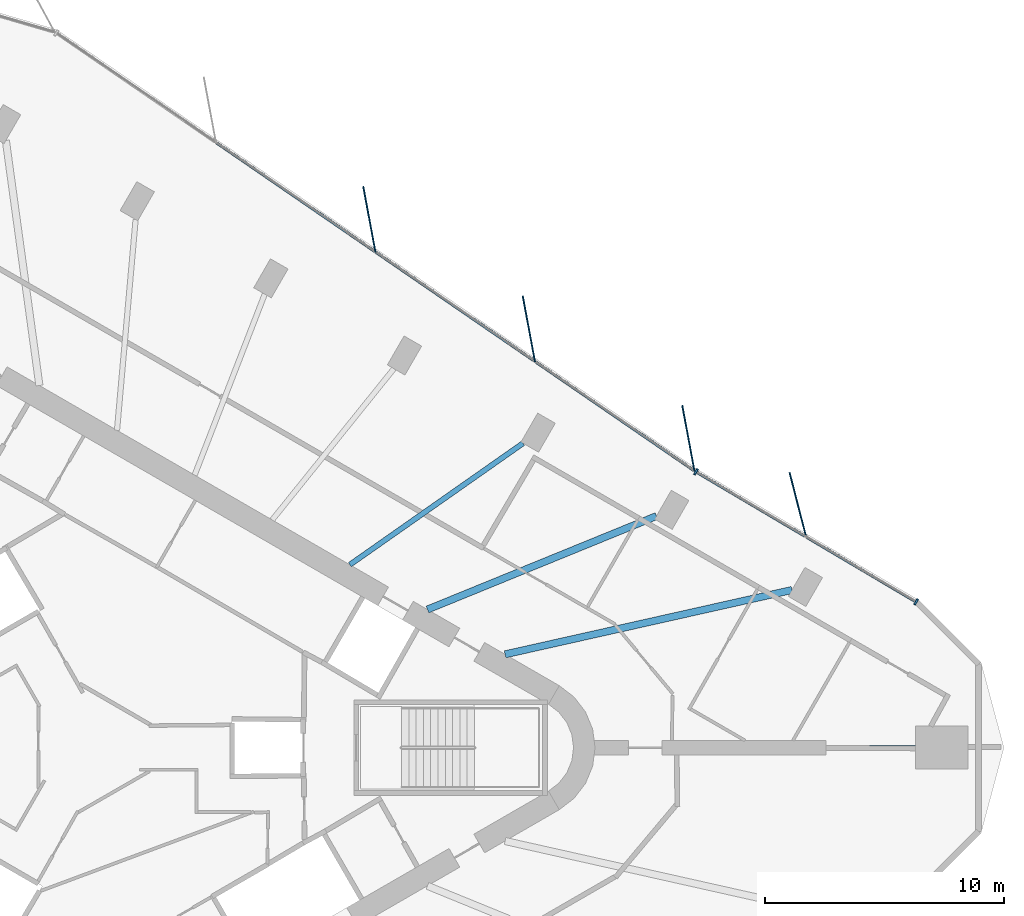
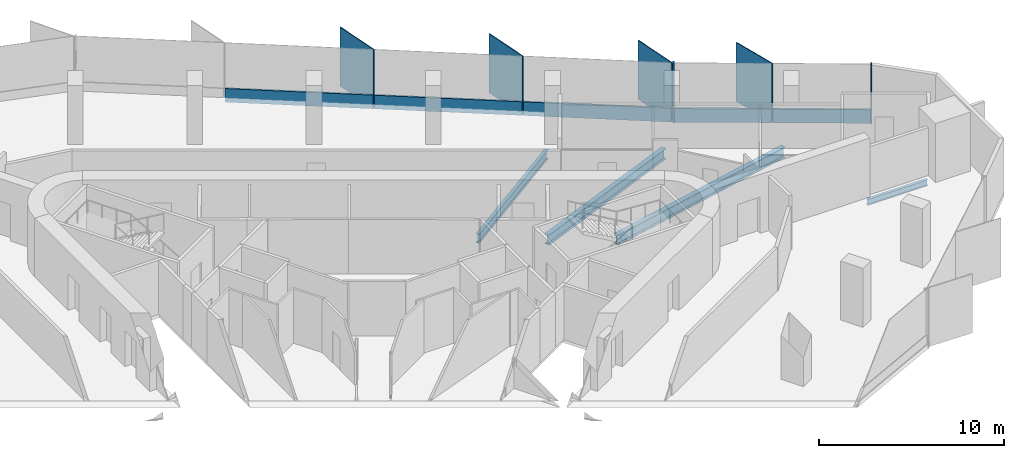
# One storey, part 5 of 14: 11 members, 4 beams, 2 elements without a shape of their own.
"""IFC4 building model written with IfcOpenShell, lengths in metres."""

import ifcopenshell
import ifcopenshell.guid

model = None  # the IFC model being written
_history = None  # IfcOwnerHistory: only IFC2X3 demands one
_inside = {}  # id of a spatial element -> (the spatial element, [elements in it])
_under = {}  # id of a project, library or spatial element -> (it, [spatial elements below it])
_declared = {}  # id of a project -> (the project, [libraries it declares])
_typed = {}  # id of a type object -> (the type object, [elements of that type])
_made_of = {}  # id of a material, layer set ... -> (it, [elements and type objects made of it])


def new_model(schema):
    """Start an empty IFC model of exactly this schema.

    Asked for "IFC4X3", IfcOpenShell would pick the latest addendum, in which some entities
    have other attributes; the version numbers below select the first issue.
    IFC2X3 requires an IfcOwnerHistory on every rooted entity: one is made here for all.
    """
    global model, _history
    if schema == "IFC4X3":
        model = ifcopenshell.file(schema_version=(4, 3, 0, 0))
    else:
        model = ifcopenshell.file(schema=schema)
    _inside.clear()
    _under.clear()
    _declared.clear()
    _typed.clear()
    _made_of.clear()
    _history = None
    if model.schema == "IFC2X3":
        org = make("IfcOrganization", Name="unknown")
        user = make(
            "IfcPersonAndOrganization",
            ThePerson=make("IfcPerson", FamilyName="unknown"),
            TheOrganization=org,
        )
        app = make(
            "IfcApplication",
            ApplicationDeveloper=org,
            Version="unknown",
            ApplicationFullName="unknown",
            ApplicationIdentifier="unknown",
        )
        _history = make(
            "IfcOwnerHistory",
            OwningUser=user,
            OwningApplication=app,
            ChangeAction="ADDED",
            CreationDate=0,
        )
    return model


def make(cls, **values):
    """One entity of the class cls with the attributes given. An attribute that is None is left unset."""
    return model.create_entity(
        cls, **{name: value for name, value in values.items() if value is not None}
    )


def rooted(cls, **values):
    """An entity with a GlobalId (a new one), such as an element, a storey or a relation."""
    return make(cls, GlobalId=ifcopenshell.guid.new(), OwnerHistory=_history, **values)


def si_unit(unit_type, name, prefix=None):
    """IfcSIUnit, for example si_unit("LENGTHUNIT", "METRE", prefix="MILLI")."""
    return make("IfcSIUnit", UnitType=unit_type, Prefix=prefix, Name=name)


def assignment(units):
    """IfcUnitAssignment: the units of a project."""
    return None if units is None else make("IfcUnitAssignment", Units=units)


def point(xyz):
    """IfcCartesianPoint."""
    return None if xyz is None else make("IfcCartesianPoint", Coordinates=xyz)


def direction(xyz):
    """IfcDirection."""
    return None if xyz is None else make("IfcDirection", DirectionRatios=xyz)


def frame(location, z_axis=None, x_axis=None):
    """IfcAxis2Placement3D, a coordinate frame: its origin and axes. An axis left out is left unset."""
    return make(
        "IfcAxis2Placement3D",
        Location=point(location),
        Axis=direction(z_axis),
        RefDirection=direction(x_axis),
    )


def frame_2d(location, x_axis=None):
    """IfcAxis2Placement2D, a coordinate frame in the plane: its origin and x axis."""
    return make(
        "IfcAxis2Placement2D", Location=point(location), RefDirection=direction(x_axis)
    )


def origin():
    """The frame at (0, 0, 0) with its axes left unset."""
    return frame((0.0, 0.0, 0.0))


def origin_2d():
    """The frame at (0, 0) in the plane with its x axis left unset."""
    return frame_2d((0.0, 0.0))


def place(relative_to, where):
    """IfcLocalPlacement: puts the frame where relative to a parent placement (None: the world)."""
    return make(
        "IfcLocalPlacement", PlacementRelTo=relative_to, RelativePlacement=where
    )


def context(
    kind, dimensions, precision=None, world=None, true_north=None, identifier=None
):
    """IfcGeometricRepresentationContext, for example the 3D "Model" context."""
    return make(
        "IfcGeometricRepresentationContext",
        ContextIdentifier=identifier,
        ContextType=kind,
        CoordinateSpaceDimension=dimensions,
        Precision=precision,
        WorldCoordinateSystem=world,
        TrueNorth=true_north,
    )


def subcontext(parent, identifier, kind, view, scale=None):
    """IfcGeometricRepresentationSubContext, for example "Body" below "Model"."""
    return make(
        "IfcGeometricRepresentationSubContext",
        ContextIdentifier=identifier,
        ContextType=kind,
        ParentContext=parent,
        TargetScale=scale,
        TargetView=view,
    )


def project(units=None, contexts=None):
    """IfcProject with its units and contexts."""
    return rooted(
        "IfcProject",
        Name="project",
        RepresentationContexts=contexts,
        UnitsInContext=assignment(units),
    )


def spatial(cls, under=None, at=None, **own):
    """A site, building, storey or space (cls), placed at a placement, below another one or the project."""
    s = rooted(cls, ObjectPlacement=at, **own)
    if under is not None:
        _under.setdefault(under.id(), (under, []))[1].append(s)
    return s


def profile(cls, at=None, kind="AREA", **sizes):
    """A parametric profile (cls). Its sizes go by their IFC names, for example OverallWidth=200.0."""
    return make(cls, ProfileType=kind, Position=at, **sizes)


def rectangle(**sizes):
    """IfcRectangleProfileDef."""
    return profile("IfcRectangleProfileDef", **sizes)


def i_section(**sizes):
    """IfcIShapeProfileDef."""
    return profile("IfcIShapeProfileDef", **sizes)


def extrude(swept, where, along, depth):
    """IfcExtrudedAreaSolid: the profile swept, set in the frame where, extruded along a direction by depth."""
    return make(
        "IfcExtrudedAreaSolid",
        SweptArea=swept,
        Position=where,
        ExtrudedDirection=direction(along),
        Depth=depth,
    )


def shape(context_of_items, identifier, shape_type, items):
    """IfcShapeRepresentation: the items that make up one representation, for example the "Body"."""
    return make(
        "IfcShapeRepresentation",
        ContextOfItems=context_of_items,
        RepresentationIdentifier=identifier,
        RepresentationType=shape_type,
        Items=items,
    )


def material(Name=None, Category=None):
    """IfcMaterial."""
    return make("IfcMaterial", Name=Name, Category=Category)


def material_profile(
    of_material, cross_section, Name=None, Category=None, Priority=None
):
    """IfcMaterialProfile: a cross section and its material."""
    return make(
        "IfcMaterialProfile",
        Name=Name,
        Material=of_material,
        Profile=cross_section,
        Priority=Priority,
        Category=Category,
    )


def profile_set(profiles, Name=None, composite=None):
    """IfcMaterialProfileSet."""
    return make(
        "IfcMaterialProfileSet",
        Name=Name,
        MaterialProfiles=profiles,
        CompositeProfile=composite,
    )


def made_of(thing, what):
    """Note that an element or type object is made of a material, layer set ...; save() writes the relation."""
    if what is not None:
        _made_of.setdefault(what.id(), (what, []))[1].append(thing)
    return thing


def type_object(cls, material=None, **own):
    """A type object (cls), such as IfcWallType, which elements share."""
    return made_of(rooted(cls, **own), material)


def element(
    cls,
    number,
    at=None,
    inside=None,
    cuts=None,
    type_object=None,
    material=None,
    context=None,
    identifier="Body",
    shape_type=None,
    held_by="IfcProductDefinitionShape",
    body=None,
    shapes=None,
    **own,
):
    """One element of the class cls, such as IfcWall. Its Tag is "e" and its number.

    at: its placement. inside: the storey or other place that contains it. cuts: it is an
    opening in that element (IfcRelVoidsElement). A single representation is given by context,
    identifier, shape_type and body (its items); several are given by shapes. held_by: the class
    of the entity that holds the representations. save() writes the other relations.
    """
    e = rooted(cls, Tag="e%d" % number, ObjectPlacement=at, **own)
    if body is not None:
        shapes = [shape(context, identifier, shape_type, body)]
    if shapes is not None:
        e.Representation = make(held_by, Representations=shapes)
    if inside is not None:
        _inside.setdefault(inside.id(), (inside, []))[1].append(e)
    if cuts is not None:
        rooted(
            "IfcRelVoidsElement", RelatingBuildingElement=cuts, RelatedOpeningElement=e
        )
    if type_object is not None:
        _typed.setdefault(type_object.id(), (type_object, []))[1].append(e)
    return made_of(e, material)


def aggregate(whole, parts):
    """IfcRelAggregates: a whole, such as a stair, and the parts it consists of."""
    return rooted("IfcRelAggregates", RelatingObject=whole, RelatedObjects=parts)


def save(model, path):
    """Write the relations noted so far, then the file.

    IfcRelAggregates (storeys below a building ...), IfcRelContainedInSpatialStructure (elements
    in a storey), IfcRelDefinesByType, IfcRelAssociatesMaterial and IfcRelDeclares: one each for
    every whole, place, type object, material and project.
    """
    for whole, parts in _under.values():
        aggregate(whole, parts)
    for where, things in _inside.values():
        rooted(
            "IfcRelContainedInSpatialStructure",
            RelatedElements=things,
            RelatingStructure=where,
        )
    for kind, things in _typed.values():
        rooted("IfcRelDefinesByType", RelatedObjects=things, RelatingType=kind)
    for what, things in _made_of.values():
        rooted("IfcRelAssociatesMaterial", RelatedObjects=things, RelatingMaterial=what)
    for by, libraries in _declared.values():
        rooted("IfcRelDeclares", RelatingContext=by, RelatedDefinitions=libraries)
    model.write(path)


model = new_model("IFC4")

# Units and contexts
model_context = context("Model", 3, precision=1e-05, world=origin(), true_north=direction((0.0, 1.0)))
body_context = subcontext(model_context, "Body", "Model", "MODEL_VIEW")
ifc_project = project(units=[si_unit("LENGTHUNIT", "METRE"), si_unit("AREAUNIT", "SQUARE_METRE"), si_unit("VOLUMEUNIT", "CUBIC_METRE"), si_unit("PLANEANGLEUNIT", "RADIAN"), si_unit("MASSUNIT", "GRAM", prefix="KILO")], contexts=[model_context])

# Site, building, storey
site_placement = place(None, origin())
site = spatial("IfcSite", under=ifc_project, at=site_placement, CompositionType="ELEMENT")
building_placement = place(site_placement, origin())
building = spatial("IfcBuilding", under=site, at=building_placement, Name="Tanit Gate Tower", CompositionType="ELEMENT")
storey_placement = place(building_placement, frame((0.0, 0.0, 306.5)))
storey = spatial("IfcBuildingStorey", under=building, at=storey_placement, Name="L68", CompositionType="ELEMENT", Elevation=306.5)

# Curtain wall, member
ifc_material_1 = material(Name="Aluminium bronze anodised and glass", Category="aluminium")
curtain_wall_type = type_object("IfcCurtainWallType", Name="Curtain wall typical high", PredefinedType="NOTDEFINED", material=ifc_material_1)
curtain_wall_1_placement = place(storey_placement, origin())
curtain_wall_1 = element("IfcCurtainWall", 1, at=curtain_wall_1_placement, inside=storey, type_object=curtain_wall_type, Name="Curtain wall L68 NE1", PredefinedType="NOTDEFINED")
ifc_material_2 = material(Name="Aluminium bronze anodised", Category="aluminium")
ifc_material_profile_1 = material_profile(ifc_material_2, rectangle(XDim=2.800048828125, YDim=0.055908203125, at=origin_2d()), Name="56x2800 bronze fin mullion")
ifc_profile_set_1 = profile_set([ifc_material_profile_1], Name="Aluminium bronze anodised")
member_type_1 = type_object("IfcMemberType", Name="FIN MULLION 56x2800 bronze", PredefinedType="MULLION", material=ifc_profile_set_1)
member_1_placement = place(storey_placement, frame((29.696533203125, 10.170654296875, -0.300048828125), z_axis=(0.0, 0.0, 1.0), x_axis=(0.249005848841, -0.968501981022, 0.0)))
member_1 = element("IfcMember", 2, at=member_1_placement, type_object=member_type_1, Name="Fin mullion L68 NE1.2", PredefinedType="MULLION", context=body_context, shape_type="SweptSolid", body=[
    extrude(rectangle(XDim=2.800048828125, YDim=0.055908203125, at=origin_2d()), origin(), (0.0, 0.0, 1.0), 3.900146484375),
])

# Curtain wall, members
curtain_wall_2_placement = place(storey_placement, origin())
curtain_wall_2 = element("IfcCurtainWall", 3, at=curtain_wall_2_placement, inside=storey, type_object=curtain_wall_type, Name="Curtain wall L68 NE2", PredefinedType="NOTDEFINED")
member_2_placement = place(storey_placement, frame((25.1083984375, 12.959228515625, -0.300048828125), z_axis=(0.0, 0.0, 1.0), x_axis=(0.182847499991, -0.983141287785, 0.0)))
member_2 = element("IfcMember", 4, at=member_2_placement, type_object=member_type_1, Name="Fin mullion L68 NE2.1", PredefinedType="MULLION", context=body_context, shape_type="SweptSolid", body=[
    extrude(rectangle(XDim=2.800048828125, YDim=0.055908203125, at=origin_2d()), origin(), (0.0, 0.0, 1.0), 3.900146484375),
])
member_3_placement = place(storey_placement, frame((18.426513671875, 17.54541015625, -0.300048828125), z_axis=(0.0, 0.0, 1.0), x_axis=(0.182847499991, -0.983141287785, 0.0)))
member_3 = element("IfcMember", 5, at=member_3_placement, type_object=member_type_1, Name="Fin mullion L68 NE2.2", PredefinedType="MULLION", context=body_context, shape_type="SweptSolid", body=[
    extrude(rectangle(XDim=2.800048828125, YDim=0.055908203125, at=origin_2d()), origin(), (0.0, 0.0, 1.0), 3.900146484375),
])
member_4_placement = place(storey_placement, frame((11.74462890625, 22.131591796875, -0.300048828125), z_axis=(0.0, 0.0, 1.0), x_axis=(0.182847499991, -0.983141287785, 0.0)))
member_4 = element("IfcMember", 6, at=member_4_placement, type_object=member_type_1, Name="Fin mullion L68 NE2.3", PredefinedType="MULLION", context=body_context, shape_type="SweptSolid", body=[
    extrude(rectangle(XDim=2.800048828125, YDim=0.055908203125, at=origin_2d()), origin(), (0.0, 0.0, 1.0), 3.900146484375),
])

# Member
ifc_material_3 = material(Name="Aluminium bronze anodised", Category="aluminium")
ifc_material_profile_2 = material_profile(ifc_material_3, rectangle(XDim=0.280029296875, YDim=0.080078125, at=origin_2d()), Name="80x280 bronze mullion")
ifc_profile_set_2 = profile_set([ifc_material_profile_2], Name="Aluminium bronze anodised")
member_type_2 = type_object("IfcMemberType", Name="Mullion 80x280 typical high", PredefinedType="MULLION", material=ifc_profile_set_2)
member_5_placement = place(storey_placement, frame((34.652099609375, 6.1083984375, -0.300048828125), z_axis=(0.0, 0.0, 1.0), x_axis=(-0.508760594103, -0.860908042644, 0.0)))
member_5 = element("IfcMember", 7, at=member_5_placement, type_object=member_type_2, Name="Mullion L68 NE1.1", PredefinedType="MULLION", context=body_context, shape_type="SweptSolid", body=[
    extrude(rectangle(XDim=0.280029296875, YDim=0.080078125, at=origin_2d()), origin(), (0.0, 0.0, 1.0), 3.900146484375),
])

member_6_placement = place(storey_placement, frame((25.42822265625, 11.559326171875, -0.300048828125), z_axis=(0.0, 0.0, 1.0), x_axis=(-0.508760594103, -0.860908042644, 0.0)))
member_6 = element("IfcMember", 8, at=member_6_placement, type_object=member_type_2, Name="Mullion L68 NE1.3", PredefinedType="MULLION", context=body_context, shape_type="SweptSolid", body=[
    extrude(rectangle(XDim=0.280029296875, YDim=0.080078125, at=origin_2d()), origin(), (0.0, 0.0, 1.0), 3.900146484375),
])

# Beams
ifc_material_4 = material(Name="Steel S355", Category="steel")
ifc_material_profile_3 = material_profile(ifc_material_4, i_section(OverallWidth=0.300048828125, OverallDepth=0.68994140625, WebThickness=0.014404296875, FlangeThickness=0.027099609375, FilletRadius=0.027099609375, at=origin_2d()), Name="HEA 700")
ifc_profile_set_3 = profile_set([ifc_material_profile_3], Name="Steel S355")
beam_type_1 = type_object("IfcBeamType", Name="RADIAL GIRDER HEA 700 S355", PredefinedType="BEAM", material=ifc_profile_set_3)
beam_1_placement = place(storey_placement, frame((29.446533203125, 6.605712890625, -0.64501953125), z_axis=(-0.975751261889, -0.218882331225, 0.0), x_axis=(0.218882331225, -0.975751261889, 0.0)))
element("IfcBeam", 9, at=beam_1_placement, inside=storey, type_object=beam_type_1, Name="RADIAL GIRDER", PredefinedType="BEAM", context=body_context, shape_type="SweptSolid", body=[
    extrude(i_section(OverallWidth=0.300048828125, OverallDepth=0.68994140625, WebThickness=0.014404296875, FlangeThickness=0.027099609375, FilletRadius=0.027099609375, at=origin_2d()), origin(), (0.0, 0.0, 1.0), 12.31396484375),
])
beam_2_placement = place(storey_placement, frame((23.7705078125, 9.7021484375, -0.64501953125), z_axis=(-0.925849999648, -0.377891225292, 0.0), x_axis=(0.377891225292, -0.925849999648, 0.0)))
element("IfcBeam", 10, at=beam_2_placement, inside=storey, type_object=beam_type_1, Name="RADIAL GIRDER", PredefinedType="BEAM", context=body_context, shape_type="SweptSolid", body=[
    extrude(i_section(OverallWidth=0.300048828125, OverallDepth=0.68994140625, WebThickness=0.014404296875, FlangeThickness=0.027099609375, FilletRadius=0.027099609375, at=origin_2d()), origin(), (0.0, 0.0, 1.0), 10.35888671875),
])
ifc_material_5 = material(Name="Steel S355", Category="steel")
ifc_material_profile_4 = material_profile(ifc_material_5, i_section(OverallWidth=0.179931640625, OverallDepth=0.39990234375, WebThickness=0.008544921875, FlangeThickness=0.013427734375, FilletRadius=0.02099609375, at=origin_2d()), Name="IPE 400")
ifc_profile_set_4 = profile_set([ifc_material_profile_4], Name="Steel S355")
beam_type_2 = type_object("IfcBeamType", Name="RADIAL GIRDER IPE 400 S355", PredefinedType="BEAM", material=ifc_profile_set_4)
beam_3_placement = place(storey_placement, frame((34.630615234375, 0.0, -0.5), z_axis=(-1.0, 0.0, 0.0), x_axis=(0.0, -1.0, 0.0)))
element("IfcBeam", 11, at=beam_3_placement, inside=storey, type_object=beam_type_2, Name="RADIAL GIRDER", PredefinedType="BEAM", context=body_context, shape_type="SweptSolid", body=[
    extrude(i_section(OverallWidth=0.179931640625, OverallDepth=0.39990234375, WebThickness=0.008544921875, FlangeThickness=0.013427734375, FilletRadius=0.02099609375, at=origin_2d()), origin(), (0.0, 0.0, 1.0), 3.760498046875),
])
ifc_material_6 = material(Name="Steel S355", Category="steel")
ifc_material_profile_5 = material_profile(ifc_material_6, i_section(OverallWidth=0.219970703125, OverallDepth=0.60009765625, WebThickness=0.011962890625, FlangeThickness=0.01904296875, FilletRadius=0.02392578125, at=origin_2d()), Name="IPE 600")
ifc_profile_set_5 = profile_set([ifc_material_profile_5], Name="Steel S355")
beam_type_3 = type_object("IfcBeamType", Name="RADIAL GIRDER IPE 600 S355", PredefinedType="BEAM", material=ifc_profile_set_5)
beam_4_placement = place(storey_placement, frame((18.1826171875, 12.752685546875, -0.60009765625), z_axis=(-0.818711219001, -0.574205485764, 0.0), x_axis=(0.574205485764, -0.818711219001, 0.0)))
element("IfcBeam", 12, at=beam_4_placement, inside=storey, type_object=beam_type_3, Name="RADIAL GIRDER", PredefinedType="BEAM", context=body_context, shape_type="SweptSolid", body=[
    extrude(i_section(OverallWidth=0.219970703125, OverallDepth=0.60009765625, WebThickness=0.011962890625, FlangeThickness=0.01904296875, FilletRadius=0.02392578125, at=origin_2d()), origin(), (0.0, 0.0, 1.0), 8.86083984375),
])

# Member
ifc_material_7 = material(Name="Aluminium bronze anodised", Category="aluminium")
ifc_material_profile_6 = material_profile(ifc_material_7, rectangle(XDim=0.1201171875, YDim=0.89990234375, at=origin_2d()), Name="120x900 bronze transom")
ifc_profile_set_6 = profile_set([ifc_material_profile_6], Name="Aluminium bronze anodised")
member_type_3 = type_object("IfcMemberType", Name="Transom 120x900 typical high", PredefinedType="USERDEFINED", material=ifc_profile_set_6)
member_7_placement = place(storey_placement, frame((34.61767578125, 6.128662109375, 0.14990234375), z_axis=(-0.860910870601, 0.508755808695, 0.0), x_axis=(-0.508755808695, -0.860910870601, 0.0)))
member_7 = element("IfcMember", 13, at=member_7_placement, type_object=member_type_3, Name="Transom L68 NE1.1", ObjectType="TRANSOM", PredefinedType="USERDEFINED", context=body_context, shape_type="SweptSolid", body=[
    extrude(rectangle(XDim=0.1201171875, YDim=0.89990234375, at=origin_2d()), origin(), (0.0, 0.0, 1.0), 5.277099609375),
])

member_8_placement = place(storey_placement, frame((30.005615234375, 8.854248046875, 0.14990234375), z_axis=(-0.860898895481, 0.508776072314, 0.0), x_axis=(-0.508776072314, -0.860898895481, 0.0)))
member_8 = element("IfcMember", 14, at=member_8_placement, type_object=member_type_3, Name="Transom L68 NE1.2", ObjectType="TRANSOM", PredefinedType="USERDEFINED", context=body_context, shape_type="SweptSolid", body=[
    extrude(rectangle(XDim=0.1201171875, YDim=0.89990234375, at=origin_2d()), origin(), (0.0, 0.0, 1.0), 5.277099609375),
])

aggregate(curtain_wall_1, [member_5, member_1, member_6, member_7, member_8])

member_9_placement = place(storey_placement, frame((25.327880859375, 11.625, 0.14990234375), z_axis=(-0.824475777341, 0.565897245601, 0.0), x_axis=(-0.565897245601, -0.824475777341, 0.0)))
member_9 = element("IfcMember", 15, at=member_9_placement, type_object=member_type_3, Name="Transom L68 NE2.1", ObjectType="TRANSOM", PredefinedType="USERDEFINED", context=body_context, shape_type="SweptSolid", body=[
    extrude(rectangle(XDim=0.1201171875, YDim=0.89990234375, at=origin_2d()), origin(), (0.0, 0.0, 1.0), 8.0244140625),
])

member_10_placement = place(storey_placement, frame((18.64599609375, 16.211181640625, 0.14990234375), z_axis=(-0.824475777341, 0.565897245601, 0.0), x_axis=(-0.565897245601, -0.824475777341, 0.0)))
member_10 = element("IfcMember", 16, at=member_10_placement, type_object=member_type_3, Name="Transom L68 NE2.2", ObjectType="TRANSOM", PredefinedType="USERDEFINED", context=body_context, shape_type="SweptSolid", body=[
    extrude(rectangle(XDim=0.1201171875, YDim=0.89990234375, at=origin_2d()), origin(), (0.0, 0.0, 1.0), 8.0244140625),
])

member_11_placement = place(storey_placement, frame((11.9638671875, 20.79736328125, 0.14990234375), z_axis=(-0.824466033815, 0.565911441027, 0.0), x_axis=(-0.565911441027, -0.824466033815, 0.0)))
member_11 = element("IfcMember", 17, at=member_11_placement, type_object=member_type_3, Name="Transom L68 NE2.3", ObjectType="TRANSOM", PredefinedType="USERDEFINED", context=body_context, shape_type="SweptSolid", body=[
    extrude(rectangle(XDim=0.1201171875, YDim=0.89990234375, at=origin_2d()), origin(), (0.0, 0.0, 1.0), 8.024169921875),
])

aggregate(curtain_wall_2, [member_2, member_3, member_4, member_9, member_10, member_11])

save(model, "model.ifc")
